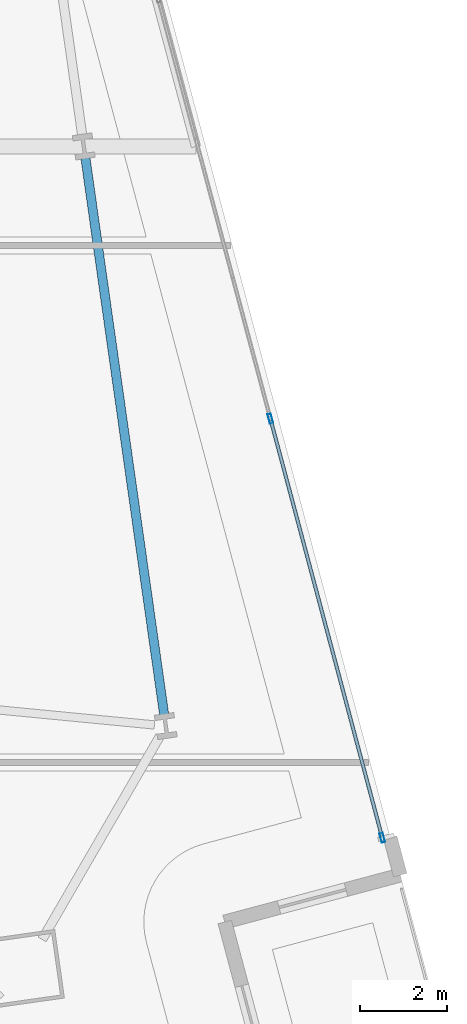
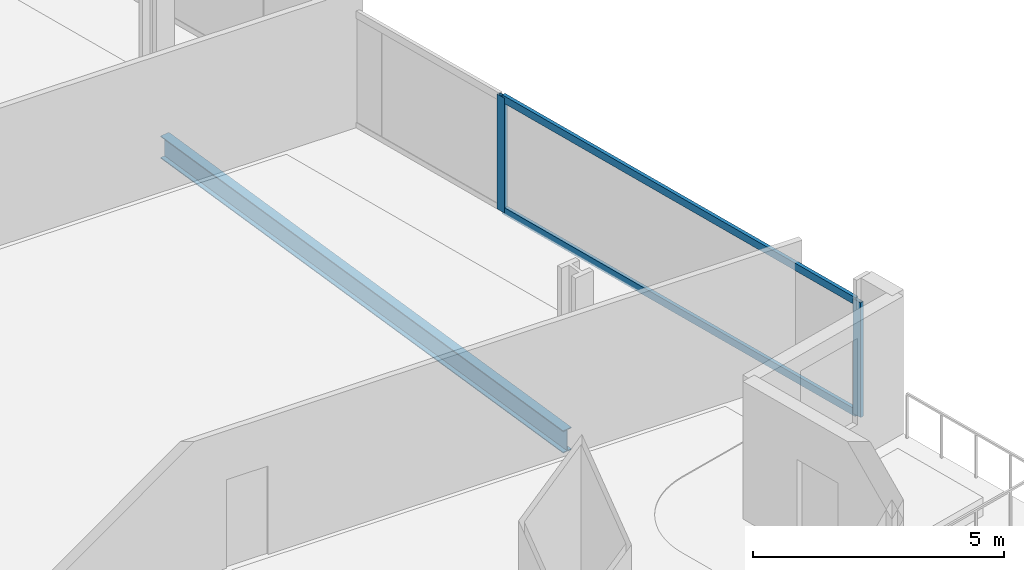
# One storey, part 12 of 33: 4 members, 1 beam, 1 element without a shape of its own.
"""IFC4 building model written with IfcOpenShell, lengths in metres."""

from ifc_helpers import new_model, si_unit, direction, frame, origin, origin_2d, place, context, subcontext, project, spatial, hollow_rectangle, i_section, extrude, material, material_profile, profile_set, type_object, element, aggregate, save


model = new_model("IFC4")

# Units and contexts
model_context = context("Model", 3, precision=1e-05, world=origin(), true_north=direction((0.0, 1.0)))
body_context = subcontext(model_context, "Body", "Model", "MODEL_VIEW")
ifc_project = project(units=[si_unit("LENGTHUNIT", "METRE"), si_unit("AREAUNIT", "SQUARE_METRE"), si_unit("VOLUMEUNIT", "CUBIC_METRE"), si_unit("PLANEANGLEUNIT", "RADIAN"), si_unit("MASSUNIT", "GRAM", prefix="KILO")], contexts=[model_context])

# Site, building, storey
site_placement = place(None, origin())
site = spatial("IfcSite", under=ifc_project, at=site_placement, CompositionType="ELEMENT")
building_placement = place(site_placement, origin())
building = spatial("IfcBuilding", under=site, at=building_placement, Name="Haldenkirk Collegiate Tower", CompositionType="ELEMENT")
storey_placement = place(building_placement, frame((0.0, 0.0, 77.699951171875)))
storey = spatial("IfcBuildingStorey", under=building, at=storey_placement, Name="L18", CompositionType="ELEMENT", Elevation=77.699951171875)

# Beam
ifc_material_1 = material(Name="Steel ASTM A992 Grade 50", Category="steel")
ifc_material_profile_1 = material_profile(ifc_material_1, i_section(OverallWidth=0.2119140625, OverallDepth=0.5439453125, WebThickness=0.01318359375, FlangeThickness=0.021240234375, at=origin_2d()), Name="W21X83")
ifc_profile_set_1 = profile_set([ifc_material_profile_1], Name="Steel ASTM A992 Grade 50")
beam_type = type_object("IfcBeamType", Name="BM-SPANDREL-W21X83", PredefinedType="SPANDREL", material=ifc_profile_set_1)
beam_placement = place(storey_placement, frame((61.611083984375, 16.65478515625, -0.58203125), z_axis=(-0.140040904101, 0.990145719164, 0.0), x_axis=(-0.990145719164, -0.140040904101, 0.0)))
element("IfcBeam", 1, at=beam_placement, inside=storey, type_object=beam_type, Name="L18 perimeter spandrel beam 06", PredefinedType="SPANDREL", context=body_context, shape_type="SweptSolid", body=[
    extrude(i_section(OverallWidth=0.2119140625, OverallDepth=0.5439453125, WebThickness=0.01318359375, FlangeThickness=0.021240234375, at=origin_2d()), origin(), (0.0, 0.0, 1.0), 13.000244140625),
])

# Curtain wall, members
ifc_material_2 = material(Name="Anodised architectural bronze aluminium", Category="aluminium")
curtain_wall_type = type_object("IfcCurtainWallType", Name="CW-SYS1-CONVEX-LOW", PredefinedType="USERDEFINED", material=ifc_material_2)
curtain_wall_placement = place(storey_placement, origin())
curtain_wall = element("IfcCurtainWall", 2, at=curtain_wall_placement, inside=storey, type_object=curtain_wall_type, Name="L18 Lower tower convex bronze-framed unitised curtain wall", ObjectType="UNITISED CURTAIN WALL", PredefinedType="USERDEFINED")
ifc_material_profile_2 = material_profile(ifc_material_2, hollow_rectangle(XDim=0.080078125, YDim=0.219970703125, WallThickness=0.0048828125, at=origin_2d()), Name="CW-MUL-1A")
ifc_profile_set_2 = profile_set([ifc_material_profile_2], Name="Anodised architectural bronze aluminium")
member_type_1 = type_object("IfcMemberType", Name="CW-MUL-1A", PredefinedType="MULLION", material=ifc_profile_set_2)
member_1_placement = place(storey_placement, frame((64.065185546875, 23.499267578125, 0.0), z_axis=(0.0, 0.0, 1.0), x_axis=(0.966151314092, 0.257976042062, 0.0)))
member_1 = element("IfcMember", 3, at=member_1_placement, type_object=member_type_1, Name="CW-1A mullion 4", PredefinedType="MULLION", context=body_context, shape_type="SweptSolid", body=[
    extrude(hollow_rectangle(XDim=0.080078125, YDim=0.219970703125, WallThickness=0.0048828125, at=origin_2d()), origin(), (0.0, 0.0, 1.0), 2.791015625),
])
member_2_placement = place(storey_placement, frame((66.65234375, 13.81005859375, 0.0), z_axis=(0.0, 0.0, 1.0), x_axis=(0.966151314092, 0.257976042062, 0.0)))
member_2 = element("IfcMember", 4, at=member_2_placement, type_object=member_type_1, Name="CW-1A mullion 5", PredefinedType="MULLION", context=body_context, shape_type="SweptSolid", body=[
    extrude(hollow_rectangle(XDim=0.080078125, YDim=0.219970703125, WallThickness=0.0048828125, at=origin_2d()), origin(), (0.0, 0.0, 1.0), 2.791015625),
])
ifc_material_profile_3 = material_profile(ifc_material_2, hollow_rectangle(XDim=0.080078125, YDim=0.179931640625, WallThickness=0.0048828125, at=origin_2d()), Name="CW-TRN-1A")
ifc_profile_set_3 = profile_set([ifc_material_profile_3], Name="Anodised architectural bronze aluminium")
member_type_2 = type_object("IfcMemberType", Name="CW-TRN-1A", PredefinedType="USERDEFINED", material=ifc_profile_set_3)
member_3_placement = place(storey_placement, frame((64.075439453125, 23.460693359375, 0.0400390625), z_axis=(0.257962002954, -0.966155062623, 0.0), x_axis=(0.966155062623, 0.257962002954, 0.0)))
member_3 = element("IfcMember", 5, at=member_3_placement, type_object=member_type_2, Name="CW-1A transom 4.1", ObjectType="TRANSOM", PredefinedType="USERDEFINED", context=body_context, shape_type="SweptSolid", body=[
    extrude(hollow_rectangle(XDim=0.080078125, YDim=0.179931640625, WallThickness=0.0048828125, at=origin_2d()), origin(), (0.0, 0.0, 1.0), 9.94873046875),
])
member_4_placement = place(storey_placement, frame((64.075439453125, 23.460693359375, 2.7509765625), z_axis=(0.257962002954, -0.966155062623, 0.0), x_axis=(0.966155062623, 0.257962002954, 0.0)))
member_4 = element("IfcMember", 6, at=member_4_placement, type_object=member_type_2, Name="CW-1A transom 4.2", ObjectType="TRANSOM", PredefinedType="USERDEFINED", context=body_context, shape_type="SweptSolid", body=[
    extrude(hollow_rectangle(XDim=0.080078125, YDim=0.179931640625, WallThickness=0.0048828125, at=origin_2d()), origin(), (0.0, 0.0, 1.0), 9.94873046875),
])
aggregate(curtain_wall, [member_1, member_2, member_3, member_4])

save(model, "model.ifc")
